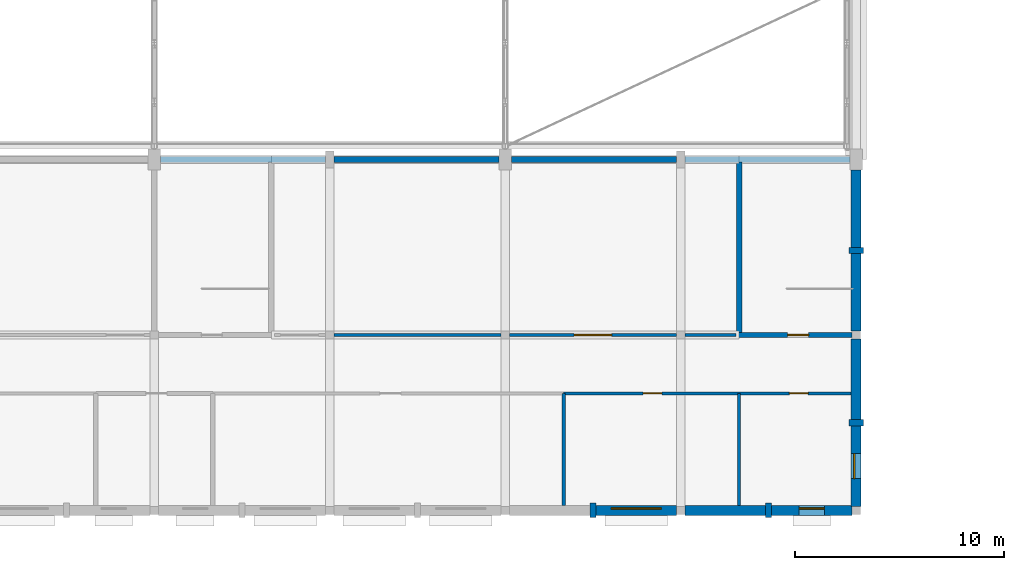
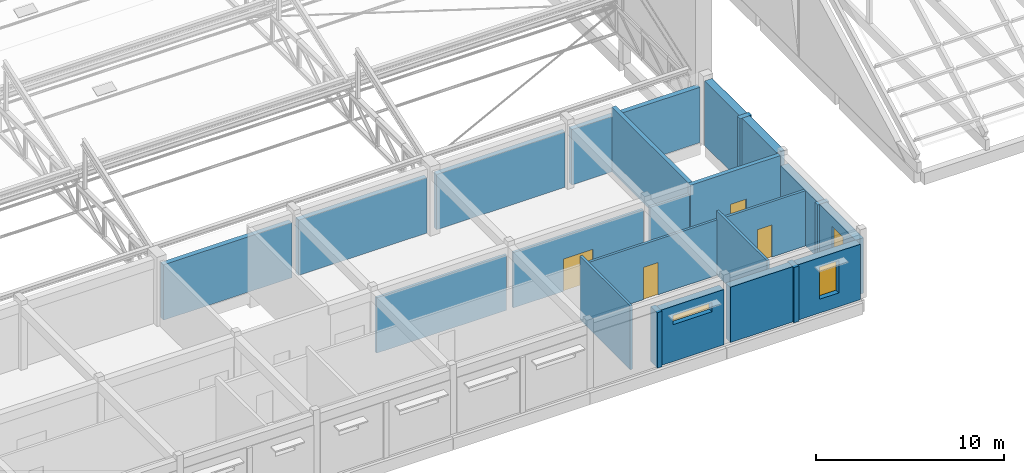
# One storey, part 75 of 101: 23 walls, 4 doors, 3 windows, 7 openings.
"""IFC4 building model written with IfcOpenShell, lengths in metres."""

from ifc_helpers import new_model, si_unit, direction, frame, frame_2d, origin, place, context, subcontext, project, spatial, rectangle, extrude, material, layer, layer_set, type_object, element, fill, save


model = new_model("IFC4")

# Units and contexts
model_context = context("Model", 3, precision=1e-05, world=origin(), true_north=direction((0.0, 1.0)))
body_context = subcontext(model_context, "Body", "Model", "MODEL_VIEW")
ifc_project = project(units=[si_unit("LENGTHUNIT", "METRE"), si_unit("AREAUNIT", "SQUARE_METRE"), si_unit("VOLUMEUNIT", "CUBIC_METRE"), si_unit("PLANEANGLEUNIT", "RADIAN"), si_unit("MASSUNIT", "GRAM", prefix="KILO")], contexts=[model_context])

# Site, building, storey
site_placement = place(None, origin())
site = spatial("IfcSite", under=ifc_project, at=site_placement, CompositionType="ELEMENT")
building_placement = place(site_placement, origin())
building = spatial("IfcBuilding", under=site, at=building_placement, Name="Fescue Hill Polytechnic", CompositionType="ELEMENT")
storey_placement = place(building_placement, frame((0.0, 0.0, 9.0)))
storey = spatial("IfcBuildingStorey", under=building, at=storey_placement, Name="L02", CompositionType="ELEMENT", Elevation=9.0)

# Wall, opening, door
ifc_material_1 = material(Name="Concrete 40 MPa", Category="concrete")
ifc_layer_1 = layer(ifc_material_1, 0.25)
ifc_layer_set_1 = layer_set([ifc_layer_1], Name="Concrete 40 MPa")
wall_type_1 = type_object("IfcWallType", Name="Core wall 250", PredefinedType="SHEAR", material=ifc_layer_set_1)
wall_1_placement = place(storey_placement, frame((111.875, 8.39990234375, 0.0), z_axis=(0.0, 0.0, 1.0), x_axis=(1.0, 0.0, 0.0)))
wall_1 = element("IfcWall", 1, at=wall_1_placement, inside=storey, type_object=wall_type_1, Name="CW-L02-ST-V1-10-11", PredefinedType="SHEAR", context=body_context, shape_type="SweptSolid", body=[
    extrude(rectangle(XDim=5.52490234375, YDim=0.25, at=frame_2d((2.762451171875, 0.0))), origin(), (0.0, 0.0, 1.0), 4.199951171875),
])
opening_1_placement = place(wall_1_placement, frame((2.449951171875, 0.0, 0.0)))
opening_1 = element("IfcOpeningElement", 2, at=opening_1_placement, cuts=wall_1, Name="Opening D2080", PredefinedType="OPENING", context=body_context, shape_type="SweptSolid", body=[
    extrude(rectangle(XDim=1.0, YDim=2.10009765625, at=frame_2d((0.5, 1.050048828125))), frame((0.0, 0.135009765625, 0.0), z_axis=(0.0, -1.0, 0.0), x_axis=(1.0, 0.0, 0.0)), (0.0, 0.0, 1.0), 0.27001953125),
])
ifc_material_2 = material(Name="Steel fire door", Category="steel")
door_type_1 = type_object("IfcDoorType", Name="Door single swing 1000x2100 stair fire rated", OperationType="NOTDEFINED", PredefinedType="DOOR", material=ifc_material_2)
door_1_placement = place(opening_1_placement, origin())
door_1 = element("IfcDoor", 3, at=door_1_placement, inside=storey, type_object=door_type_1, Name="L02 ST-V1-10 stair door", OperationType="SINGLE_SWING_RIGHT", OverallHeight=2.10009765625, OverallWidth=1.0, PredefinedType="DOOR", context=body_context, shape_type="SweptSolid", body=[
    extrude(rectangle(XDim=1.0, YDim=2.10009765625, at=frame_2d((0.5, 1.050048828125))), frame((0.0, 0.02490234375, 0.0), z_axis=(0.0, -1.0, 0.0), x_axis=(1.0, 0.0, 0.0)), (0.0, 0.0, 1.0), 0.050048828125),
])
fill(opening_1, door_1)

# Wall
wall_2_placement = place(storey_placement, frame((112.0, 8.52490234375, 0.0), z_axis=(0.0, 0.0, 1.0), x_axis=(0.0, 1.0, 0.0)))
element("IfcWall", 4, at=wall_2_placement, inside=storey, type_object=wall_type_1, Name="CW-L02-ST-V1-10-31", PredefinedType="SHEAR", context=body_context, shape_type="SweptSolid", body=[
    extrude(rectangle(XDim=8.150146484375, YDim=0.25, at=frame_2d((4.0751953125, 0.0))), origin(), (0.0, 0.0, 1.0), 4.199951171875),
])

# Wall, openings, doors
ifc_material_3 = material(Name="Gypsum board partition")
ifc_layer_2 = layer(ifc_material_3, 0.14990234375)
ifc_layer_set_2 = layer_set([ifc_layer_2], Name="Gypsum board partition")
wall_type_2 = type_object("IfcWallType", Name="Corridor wall 150 EI 45", PredefinedType="PARTITIONING", material=ifc_layer_set_2)
wall_3_placement = place(storey_placement, frame((103.60009765625, 5.60009765625, 0.0), z_axis=(0.0, 0.0, 1.0), x_axis=(1.0, 0.0, 0.0)))
wall_3 = element("IfcWall", 5, at=wall_3_placement, inside=storey, type_object=wall_type_2, Name="IW-L02-004", PredefinedType="PARTITIONING", context=body_context, shape_type="SweptSolid", body=[
    extrude(rectangle(XDim=13.760009765625, YDim=0.14990234375, at=frame_2d((6.8798828125, 0.0))), origin(), (0.0, 0.0, 1.0), 3.60009765625),
])
opening_2_placement = place(wall_3_placement, frame((3.800048828125, 0.0, 0.0)))
opening_2 = element("IfcOpeningElement", 6, at=opening_2_placement, cuts=wall_3, Name="Opening D2019", PredefinedType="OPENING", context=body_context, shape_type="SweptSolid", body=[
    extrude(rectangle(XDim=0.89990234375, YDim=2.10009765625, at=frame_2d((0.449951171875, 1.050048828125))), frame((0.0, 0.0849609375, 0.0), z_axis=(0.0, -1.0, 0.0), x_axis=(1.0, 0.0, 0.0)), (0.0, 0.0, 1.0), 0.169921875),
])
opening_3_placement = place(wall_3_placement, frame((10.800048828125, 0.0, 0.0)))
opening_3 = element("IfcOpeningElement", 7, at=opening_3_placement, cuts=wall_3, Name="Opening D2020", PredefinedType="OPENING", context=body_context, shape_type="SweptSolid", body=[
    extrude(rectangle(XDim=0.89990234375, YDim=2.10009765625, at=frame_2d((0.449951171875, 1.050048828125))), frame((0.0, 0.0849609375, 0.0), z_axis=(0.0, -1.0, 0.0), x_axis=(1.0, 0.0, 0.0)), (0.0, 0.0, 1.0), 0.169921875),
])
ifc_material_4 = material(Name="Timber", Category="wood")
door_type_2 = type_object("IfcDoorType", Name="Door single swing 900x2100 FD30S", OperationType="SINGLE_SWING_LEFT", PredefinedType="DOOR", material=ifc_material_4)
door_2_placement = place(opening_2_placement, origin())
door_2 = element("IfcDoor", 8, at=door_2_placement, inside=storey, type_object=door_type_2, Name="Door D2019", OperationType="SINGLE_SWING_LEFT", OverallHeight=2.10009765625, OverallWidth=0.89990234375, PredefinedType="DOOR", context=body_context, shape_type="SweptSolid", body=[
    extrude(rectangle(XDim=0.89990234375, YDim=2.10009765625, at=frame_2d((0.449951171875, 1.050048828125))), frame((0.0, 0.02490234375, 0.0), z_axis=(0.0, -1.0, 0.0), x_axis=(1.0, 0.0, 0.0)), (0.0, 0.0, 1.0), 0.050048828125),
])
fill(opening_2, door_2)
door_3_placement = place(opening_3_placement, origin())
door_3 = element("IfcDoor", 9, at=door_3_placement, inside=storey, type_object=door_type_2, Name="Door D2020", OperationType="SINGLE_SWING_RIGHT", OverallHeight=2.10009765625, OverallWidth=0.89990234375, PredefinedType="DOOR", context=body_context, shape_type="SweptSolid", body=[
    extrude(rectangle(XDim=0.89990234375, YDim=2.10009765625, at=frame_2d((0.449951171875, 1.050048828125))), frame((0.0, 0.02490234375, 0.0), z_axis=(0.0, -1.0, 0.0), x_axis=(1.0, 0.0, 0.0)), (0.0, 0.0, 1.0), 0.050048828125),
])
fill(opening_3, door_3)

# Wall, opening, window
ifc_material_5 = material(Name="Clay brick masonry", Category="masonry")
ifc_layer_3 = layer(ifc_material_5, 0.47998046875)
ifc_layer_set_3 = layer_set([ifc_layer_3], Name="Clay brick masonry")
wall_type_3 = type_object("IfcWallType", Name="Exterior wall engineering brick cavity 480", PredefinedType="SOLIDWALL", material=ifc_layer_set_3)
wall_4_placement = place(storey_placement, frame((117.60009765625, 0.199951171875, 0.0), z_axis=(0.0, 0.0, 1.0), x_axis=(0.0, 1.0, 0.0)))
wall_4 = element("IfcWall", 10, at=wall_4_placement, inside=storey, type_object=wall_type_3, Name="EW-L02-V1-1", PredefinedType="SOLIDWALL", context=body_context, shape_type="SweptSolid", body=[
    extrude(rectangle(XDim=3.85009765625, YDim=0.47998046875, at=frame_2d((1.925048828125, 0.0))), origin(), (0.0, 0.0, 1.0), 3.60009765625),
])
opening_4_placement = place(wall_4_placement, frame((1.324951171875, 0.0, 0.89990234375)))
opening_4 = element("IfcOpeningElement", 11, at=opening_4_placement, cuts=wall_4, Name="Opening W13", PredefinedType="OPENING", context=body_context, shape_type="SweptSolid", body=[
    extrude(rectangle(XDim=1.199951171875, YDim=2.10009765625, at=frame_2d((0.60009765625, 1.050048828125))), frame((0.0, 0.25, 0.0), z_axis=(0.0, -1.0, 0.0), x_axis=(1.0, 0.0, 0.0)), (0.0, 0.0, 1.0), 0.5),
])
ifc_material_6 = material(Name="Powder-coated aluminium and glass", Category="aluminium")
window_type_1 = type_object("IfcWindowType", Name="Window cellular office 1200x2100", PartitioningType="SINGLE_PANEL", PredefinedType="WINDOW", material=ifc_material_6)
window_1_placement = place(opening_4_placement, origin())
window_1 = element("IfcWindow", 12, at=window_1_placement, inside=storey, type_object=window_type_1, Name="WN-L02-V1-1", OverallHeight=2.10009765625, OverallWidth=1.199951171875, PartitioningType="SINGLE_PANEL", PredefinedType="WINDOW", context=body_context, shape_type="SweptSolid", body=[
    extrude(rectangle(XDim=1.199951171875, YDim=2.10009765625, at=frame_2d((0.60009765625, 1.050048828125))), frame((0.0, 0.1201171875, 0.0), z_axis=(0.0, -1.0, 0.0), x_axis=(1.0, 0.0, 0.0)), (0.0, 0.0, 1.0), 0.06005859375),
])
fill(opening_4, window_1)

# Wall
wall_5_placement = place(storey_placement, frame((117.60009765625, 4.35009765625, 0.0), z_axis=(0.0, 0.0, 1.0), x_axis=(0.0, 1.0, 0.0)))
element("IfcWall", 13, at=wall_5_placement, inside=storey, type_object=wall_type_3, Name="EW-L02-V1-2", PredefinedType="SOLIDWALL", context=body_context, shape_type="SweptSolid", body=[
    extrude(rectangle(XDim=3.849853515625, YDim=0.47998046875, at=frame_2d((1.9248046875, 0.0))), origin(), (0.0, 0.0, 1.0), 3.60009765625),
])

# Wall, opening, window
wall_6_placement = place(storey_placement, frame((105.14990234375, 0.0, 0.0), z_axis=(0.0, 0.0, 1.0), x_axis=(1.0, 0.0, 0.0)))
wall_6 = element("IfcWall", 14, at=wall_6_placement, inside=storey, type_object=wall_type_3, Name="EW-L02-V1-48", PredefinedType="SOLIDWALL", context=body_context, shape_type="SweptSolid", body=[
    extrude(rectangle(XDim=3.85009765625, YDim=0.47998046875, at=frame_2d((1.925048828125, 0.0))), origin(), (0.0, 0.0, 1.0), 3.60009765625),
])
opening_5_placement = place(wall_6_placement, frame((0.72509765625, 0.0, 2.39990234375)))
opening_5 = element("IfcOpeningElement", 15, at=opening_5_placement, cuts=wall_6, Name="Opening W2R", PredefinedType="OPENING", context=body_context, shape_type="SweptSolid", body=[
    extrude(rectangle(XDim=2.39990234375, YDim=0.60009765625, at=frame_2d((1.199951171875, 0.300048828125))), frame((0.0, 0.25, 0.0), z_axis=(0.0, -1.0, 0.0), x_axis=(1.0, 0.0, 0.0)), (0.0, 0.0, 1.0), 0.5),
])
window_type_2 = type_object("IfcWindowType", Name="Window workshop high 2400x600", PartitioningType="TRIPLE_PANEL_VERTICAL", PredefinedType="WINDOW", material=ifc_material_6)
window_2_placement = place(opening_5_placement, origin())
window_2 = element("IfcWindow", 16, at=window_2_placement, inside=storey, type_object=window_type_2, Name="WN-L02-V1-25", OverallHeight=0.60009765625, OverallWidth=2.39990234375, PartitioningType="SINGLE_PANEL", PredefinedType="WINDOW", context=body_context, shape_type="SweptSolid", body=[
    extrude(rectangle(XDim=2.39990234375, YDim=0.60009765625, at=frame_2d((1.199951171875, 0.300048828125))), frame((0.0, 0.1201171875, 0.0), z_axis=(0.0, -1.0, 0.0), x_axis=(1.0, 0.0, 0.0)), (0.0, 0.0, 1.0), 0.06005859375),
])
fill(opening_5, window_2)

# Wall
wall_7_placement = place(storey_placement, frame((109.39990234375, 0.0, 0.0), z_axis=(0.0, 0.0, 1.0), x_axis=(1.0, 0.0, 0.0)))
element("IfcWall", 17, at=wall_7_placement, inside=storey, type_object=wall_type_3, Name="EW-L02-V1-49", PredefinedType="SOLIDWALL", context=body_context, shape_type="SweptSolid", body=[
    extrude(rectangle(XDim=3.85009765625, YDim=0.47998046875, at=frame_2d((1.925048828125, 0.0))), origin(), (0.0, 0.0, 1.0), 3.60009765625),
])

# Wall, opening, window
wall_8_placement = place(storey_placement, frame((113.550048828125, 0.0, 0.0), z_axis=(0.0, 0.0, 1.0), x_axis=(1.0, 0.0, 0.0)))
wall_8 = element("IfcWall", 18, at=wall_8_placement, inside=storey, type_object=wall_type_3, Name="EW-L02-V1-50", PredefinedType="SOLIDWALL", context=body_context, shape_type="SweptSolid", body=[
    extrude(rectangle(XDim=3.849853515625, YDim=0.47998046875, at=frame_2d((1.9248046875, 0.0))), origin(), (0.0, 0.0, 1.0), 3.60009765625),
])
opening_6_placement = place(wall_8_placement, frame((1.324951171875, 0.0, 0.89990234375)))
opening_6 = element("IfcOpeningElement", 19, at=opening_6_placement, cuts=wall_8, Name="Opening W13", PredefinedType="OPENING", context=body_context, shape_type="SweptSolid", body=[
    extrude(rectangle(XDim=1.199951171875, YDim=2.10009765625, at=frame_2d((0.60009765625, 1.050048828125))), frame((0.0, 0.25, 0.0), z_axis=(0.0, -1.0, 0.0), x_axis=(1.0, 0.0, 0.0)), (0.0, 0.0, 1.0), 0.5),
])
window_3_placement = place(opening_6_placement, origin())
window_3 = element("IfcWindow", 20, at=window_3_placement, inside=storey, type_object=window_type_1, Name="WN-L02-V1-26", OverallHeight=2.10009765625, OverallWidth=1.199951171875, PartitioningType="SINGLE_PANEL", PredefinedType="WINDOW", context=body_context, shape_type="SweptSolid", body=[
    extrude(rectangle(XDim=1.199951171875, YDim=2.10009765625, at=frame_2d((0.60009765625, 1.050048828125))), frame((0.0, 0.1201171875, 0.0), z_axis=(0.0, -1.0, 0.0), x_axis=(1.0, 0.0, 0.0)), (0.0, 0.0, 1.0), 0.06005859375),
])
fill(opening_6, window_3)

# Walls
ifc_layer_4 = layer(ifc_material_5, 0.47998046875)
ifc_layer_set_4 = layer_set([ifc_layer_4], Name="Clay brick masonry")
wall_type_4 = type_object("IfcWallType", Name="Exterior wall engineering brick cavity 480 load-bearing", PredefinedType="SOLIDWALL", material=ifc_layer_set_4)
for number, where, z_axis, x_axis, name in (
    (21, (117.60009765625, 8.60009765625, 0.0), (0.0, 0.0, 1.0), (0.0, 1.0, 0.0), "EW-L02-V1-3"),
    (22, (117.60009765625, 12.60009765625, 0.0), (0.0, 0.0, 1.0), (0.0, 1.0, 0.0), "EW-L02-V1-4"),
):
    element("IfcWall", number, at=place(storey_placement, frame(where, z_axis=z_axis, x_axis=x_axis)), inside=storey, type_object=wall_type_4, Name=name, PredefinedType="SOLIDWALL", context=body_context, shape_type="SweptSolid", body=[
        extrude(rectangle(XDim=3.699951171875, YDim=0.47998046875, at=frame_2d((1.85009765625, 0.0))), origin(), (0.0, 0.0, 1.0), 4.199951171875),
    ])
ifc_layer_5 = layer(ifc_material_1, 0.699951171875)
ifc_layer_set_5 = layer_set([ifc_layer_5], Name="Concrete 40 MPa")
wall_type_5 = type_object("IfcWallType", Name="Fin wall board-marked 300x700", PredefinedType="SOLIDWALL", material=ifc_layer_set_5)
wall_9_placement = place(storey_placement, frame((117.60009765625, 4.050048828125, 0.0), z_axis=(0.0, 0.0, 1.0), x_axis=(0.0, 1.0, 0.0)))
element("IfcWall", 23, at=wall_9_placement, inside=storey, type_object=wall_type_5, Name="PR-L02-V1-1", PredefinedType="SOLIDWALL", context=body_context, shape_type="SweptSolid", body=[
    extrude(rectangle(XDim=0.300048828125, YDim=0.699951171875, at=frame_2d((0.14990234375, 0.0))), origin(), (0.0, 0.0, 1.0), 3.60009765625),
])
wall_10_placement = place(storey_placement, frame((104.85009765625, 0.0, 0.0), z_axis=(0.0, 0.0, 1.0), x_axis=(1.0, 0.0, 0.0)))
element("IfcWall", 24, at=wall_10_placement, inside=storey, type_object=wall_type_5, Name="PR-L02-V1-17", PredefinedType="SOLIDWALL", context=body_context, shape_type="SweptSolid", body=[
    extrude(rectangle(XDim=0.2998046875, YDim=0.699951171875, at=frame_2d((0.14990234375, 0.0))), origin(), (0.0, 0.0, 1.0), 3.60009765625),
])
wall_11_placement = place(storey_placement, frame((113.25, 0.0, 0.0), z_axis=(0.0, 0.0, 1.0), x_axis=(1.0, 0.0, 0.0)))
element("IfcWall", 25, at=wall_11_placement, inside=storey, type_object=wall_type_5, Name="PR-L02-V1-18", PredefinedType="SOLIDWALL", context=body_context, shape_type="SweptSolid", body=[
    extrude(rectangle(XDim=0.300048828125, YDim=0.699951171875, at=frame_2d((0.14990234375, 0.0))), origin(), (0.0, 0.0, 1.0), 3.60009765625),
])
ifc_layer_6 = layer(ifc_material_1, 0.699951171875)
ifc_layer_set_6 = layer_set([ifc_layer_6], Name="Concrete 40 MPa")
wall_type_6 = type_object("IfcWallType", Name="Fin wall board-marked 300x700 load-bearing", PredefinedType="SOLIDWALL", material=ifc_layer_set_6)
wall_12_placement = place(storey_placement, frame((117.60009765625, 12.300048828125, 0.0), z_axis=(0.0, 0.0, 1.0), x_axis=(0.0, 1.0, 0.0)))
element("IfcWall", 26, at=wall_12_placement, inside=storey, type_object=wall_type_6, Name="PR-L02-V1-2", PredefinedType="SOLIDWALL", context=body_context, shape_type="SweptSolid", body=[
    extrude(rectangle(XDim=0.300048828125, YDim=0.699951171875, at=frame_2d((0.14990234375, 0.0))), origin(), (0.0, 0.0, 1.0), 4.199951171875),
])
ifc_layer_7 = layer(ifc_material_1, 0.300048828125)
ifc_layer_set_7 = layer_set([ifc_layer_7], Name="Concrete 40 MPa")
wall_type_7 = type_object("IfcWallType", Name="Hall wall concrete 300 fire rated", PredefinedType="SOLIDWALL", material=ifc_layer_set_7)
for number, where, z_axis, x_axis, name in (
    (27, (109.0, 16.800048828125, 0.0), (0.0, 0.0, 1.0), (-1.0, 0.0, 0.0), "EW-L02-V1-6"),
    (28, (100.5, 16.800048828125, 0.0), (0.0, 0.0, 1.0), (-1.0, 0.0, 0.0), "EW-L02-V1-7"),
):
    element("IfcWall", number, at=place(storey_placement, frame(where, z_axis=z_axis, x_axis=x_axis)), inside=storey, type_object=wall_type_7, Name=name, PredefinedType="SOLIDWALL", context=body_context, shape_type="SweptSolid", body=[
        extrude(rectangle(XDim=7.89990234375, YDim=0.300048828125, at=frame_2d((3.949951171875, 0.0))), origin(), (0.0, 0.0, 1.0), 3.60009765625),
    ])
ifc_layer_8 = layer(ifc_material_1, 0.300048828125)
ifc_layer_set_8 = layer_set([ifc_layer_8], Name="Concrete 40 MPa")
wall_type_8 = type_object("IfcWallType", Name="Hall wall concrete 300 load-bearing REI 120", PredefinedType="SOLIDWALL", material=ifc_layer_set_8)
wall_13_placement = place(storey_placement, frame((117.300048828125, 16.800048828125, 0.0), z_axis=(0.0, 0.0, 1.0), x_axis=(-1.0, 0.0, 0.0)))
element("IfcWall", 29, at=wall_13_placement, inside=storey, type_object=wall_type_8, Name="EW-L02-V1-5", PredefinedType="SOLIDWALL", context=body_context, shape_type="SweptSolid", body=[
    extrude(rectangle(XDim=7.900146484375, YDim=0.300048828125, at=frame_2d((3.9501953125, 0.0))), origin(), (0.0, 0.0, 1.0), 3.60009765625),
])
wall_14_placement = place(storey_placement, frame((92.199951171875, 16.800048828125, 0.0), z_axis=(0.0, 0.0, 1.0), x_axis=(-1.0, 0.0, 0.0)))
element("IfcWall", 30, at=wall_14_placement, inside=storey, type_object=wall_type_8, Name="EW-L02-V1-8", PredefinedType="SOLIDWALL", context=body_context, shape_type="SweptSolid", body=[
    extrude(rectangle(XDim=7.89990234375, YDim=0.300048828125, at=frame_2d((3.949951171875, 0.0))), origin(), (0.0, 0.0, 1.0), 3.60009765625),
])
ifc_material_7 = material(Name="Concrete masonry block 15 MPa", Category="masonry")
ifc_layer_9 = layer(ifc_material_7, 0.14990234375)
ifc_layer_set_9 = layer_set([ifc_layer_9], Name="Concrete masonry block 15 MPa")
wall_type_9 = type_object("IfcWallType", Name="Laboratory wall 150 block EI 60", PredefinedType="PARTITIONING", material=ifc_layer_set_9)
wall_15_placement = place(storey_placement, frame((92.60009765625, 8.39990234375, 0.0), z_axis=(0.0, 0.0, 1.0), x_axis=(1.0, 0.0, 0.0)))
element("IfcWall", 31, at=wall_15_placement, inside=storey, type_object=wall_type_9, Name="IW-L02-020", PredefinedType="PARTITIONING", context=body_context, shape_type="SweptSolid", body=[
    extrude(rectangle(XDim=8.0, YDim=0.14990234375, at=frame_2d((4.0, 0.0))), origin(), (0.0, 0.0, 1.0), 3.60009765625),
])

# Wall, opening, door
wall_16_placement = place(storey_placement, frame((101.0, 8.39990234375, 0.0), z_axis=(0.0, 0.0, 1.0), x_axis=(1.0, 0.0, 0.0)))
wall_16 = element("IfcWall", 32, at=wall_16_placement, inside=storey, type_object=wall_type_9, Name="IW-L02-021", PredefinedType="PARTITIONING", context=body_context, shape_type="SweptSolid", body=[
    extrude(rectangle(XDim=8.0, YDim=0.14990234375, at=frame_2d((4.0, 0.0))), origin(), (0.0, 0.0, 1.0), 3.60009765625),
])
opening_7_placement = place(wall_16_placement, frame((3.10009765625, 0.0, 0.0)))
opening_7 = element("IfcOpeningElement", 33, at=opening_7_placement, cuts=wall_16, Name="Opening D2027", PredefinedType="OPENING", context=body_context, shape_type="SweptSolid", body=[
    extrude(rectangle(XDim=1.800048828125, YDim=2.10009765625, at=frame_2d((0.89990234375, 1.050048828125))), frame((0.0, 0.0849609375, 0.0), z_axis=(0.0, -1.0, 0.0), x_axis=(1.0, 0.0, 0.0)), (0.0, 0.0, 1.0), 0.169921875),
])
ifc_material_8 = material(Name="Steel", Category="steel")
door_type_3 = type_object("IfcDoorType", Name="Door double swing 1800x2100 FD60", OperationType="DOUBLE_DOOR_SINGLE_SWING", PredefinedType="DOOR", material=ifc_material_8)
door_4_placement = place(opening_7_placement, origin())
door_4 = element("IfcDoor", 34, at=door_4_placement, inside=storey, type_object=door_type_3, Name="Door D2027", OperationType="DOUBLE_DOOR_SINGLE_SWING", OverallHeight=2.10009765625, OverallWidth=1.800048828125, PredefinedType="DOOR", context=body_context, shape_type="SweptSolid", body=[
    extrude(rectangle(XDim=1.800048828125, YDim=2.10009765625, at=frame_2d((0.89990234375, 1.050048828125))), frame((0.0, 0.02490234375, 0.0), z_axis=(0.0, -1.0, 0.0), x_axis=(1.0, 0.0, 0.0)), (0.0, 0.0, 1.0), 0.050048828125),
])
fill(opening_7, door_4)

# Walls
wall_17_placement = place(storey_placement, frame((109.39990234375, 8.39990234375, 0.0), z_axis=(0.0, 0.0, 1.0), x_axis=(1.0, 0.0, 0.0)))
element("IfcWall", 35, at=wall_17_placement, inside=storey, type_object=wall_type_9, Name="IW-L02-022", PredefinedType="PARTITIONING", context=body_context, shape_type="SweptSolid", body=[
    extrude(rectangle(XDim=2.4501953125, YDim=0.14990234375, at=frame_2d((1.22509765625, 0.0))), origin(), (0.0, 0.0, 1.0), 3.60009765625),
])
wall_18_placement = place(storey_placement, frame((103.60009765625, 0.239990234375, 0.0), z_axis=(0.0, 0.0, 1.0), x_axis=(0.0, 1.0, 0.0)))
element("IfcWall", 36, at=wall_18_placement, inside=storey, type_object=wall_type_9, Name="IW-L02-113", PredefinedType="PARTITIONING", context=body_context, shape_type="SweptSolid", body=[
    extrude(rectangle(XDim=5.360107421875, YDim=0.14990234375, at=frame_2d((2.68017578125, 0.0))), origin(), (0.0, 0.0, 1.0), 4.14990234375),
])
ifc_layer_10 = layer(ifc_material_3, 0.14990234375)
ifc_layer_set_10 = layer_set([ifc_layer_10], Name="Gypsum board partition")
wall_type_10 = type_object("IfcWallType", Name="Partition stud 150 acoustic", PredefinedType="PARTITIONING", material=ifc_layer_set_10)
wall_19_placement = place(storey_placement, frame((112.0, 0.239990234375, 0.0), z_axis=(0.0, 0.0, 1.0), x_axis=(0.0, 1.0, 0.0)))
element("IfcWall", 37, at=wall_19_placement, inside=storey, type_object=wall_type_10, Name="IW-L02-117", PredefinedType="PARTITIONING", context=body_context, shape_type="SweptSolid", body=[
    extrude(rectangle(XDim=5.360107421875, YDim=0.14990234375, at=frame_2d((2.68017578125, 0.0))), origin(), (0.0, 0.0, 1.0), 4.14990234375),
])

save(model, "model.ifc")
